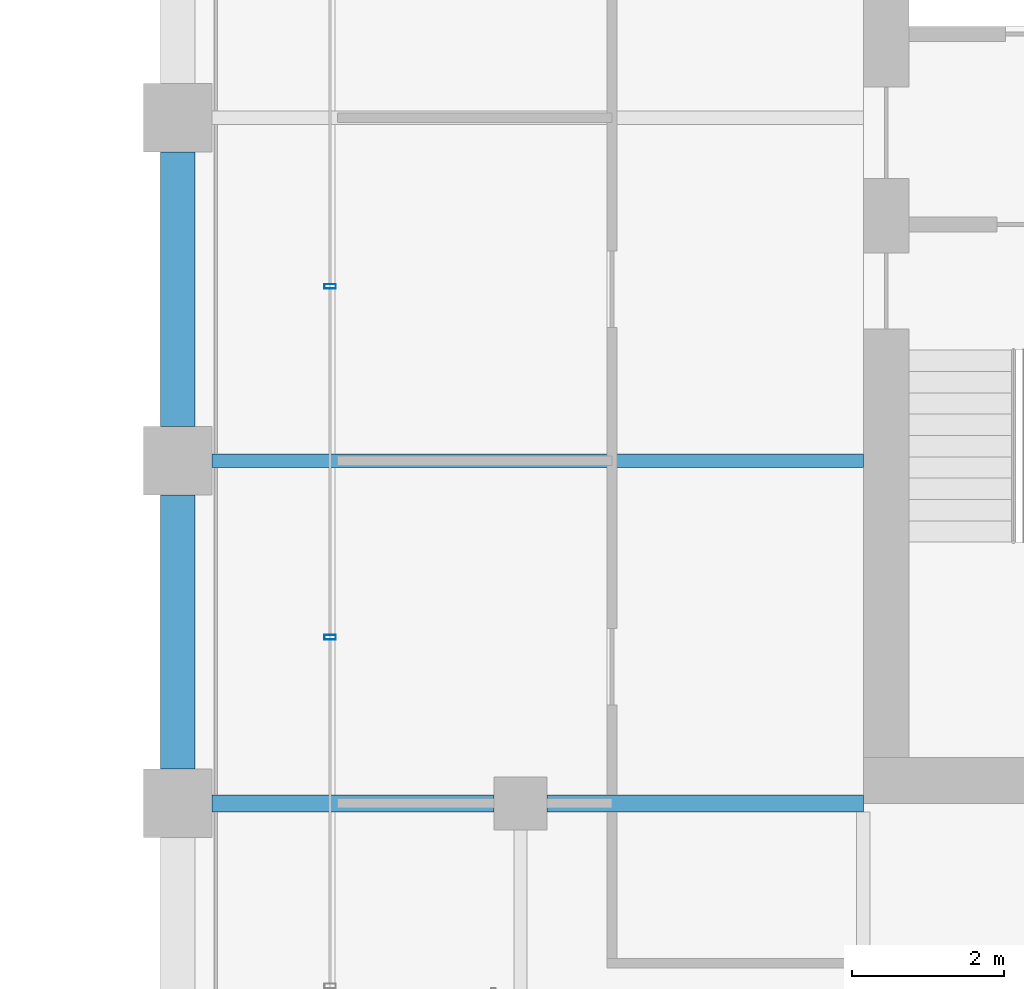
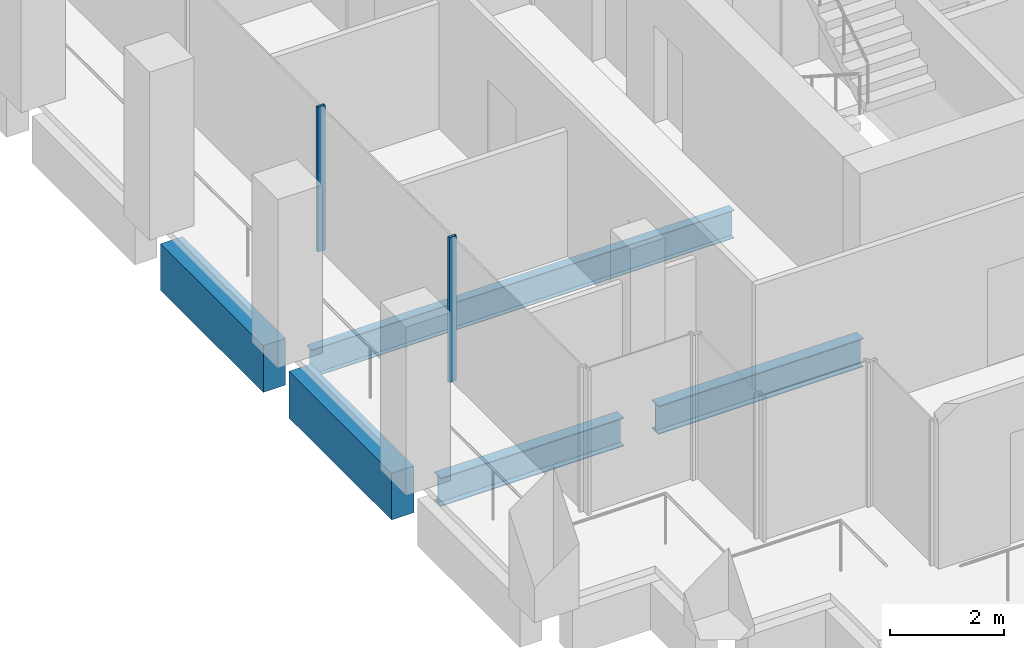
# One storey, part 30 of 40: 5 beams, 2 members, 1 element without a shape of its own.
"""IFC4 building model written with IfcOpenShell, lengths in metres."""

from ifc_helpers import new_model, si_unit, direction, frame, origin, origin_2d, place, context, subcontext, project, spatial, rectangle, hollow_rectangle, i_section, extrude, material, material_profile, profile_set, type_object, element, aggregate, save


model = new_model("IFC4")

# Units and contexts
model_context = context("Model", 3, precision=1e-05, world=origin(), true_north=direction((0.0, 1.0)))
body_context = subcontext(model_context, "Body", "Model", "MODEL_VIEW")
ifc_project = project(units=[si_unit("LENGTHUNIT", "METRE"), si_unit("AREAUNIT", "SQUARE_METRE"), si_unit("VOLUMEUNIT", "CUBIC_METRE"), si_unit("PLANEANGLEUNIT", "RADIAN"), si_unit("MASSUNIT", "GRAM", prefix="KILO")], contexts=[model_context])

# Site, building, storey
site_placement = place(None, origin())
site = spatial("IfcSite", under=ifc_project, at=site_placement, CompositionType="ELEMENT")
building_placement = place(site_placement, origin())
building = spatial("IfcBuilding", under=site, at=building_placement, Name="Altepetl Exchange Towers", CompositionType="ELEMENT")
storey_placement = place(building_placement, frame((0.0, 0.0, 187.0)))
storey = spatial("IfcBuildingStorey", under=building, at=storey_placement, Name="L47", CompositionType="ELEMENT", Elevation=187.0)

# Beams
ifc_material_1 = material(Name="Steel S355", Category="steel")
ifc_material_profile_1 = material_profile(ifc_material_1, i_section(OverallWidth=0.177978515625, OverallDepth=0.59912109375, WebThickness=0.010009765625, FlangeThickness=0.0126953125, at=origin_2d()), Name="W24X55")
ifc_profile_set_1 = profile_set([ifc_material_profile_1], Name="Steel S355")
beam_type_1 = type_object("IfcBeamType", Name="Floor beam W24X55", PredefinedType="BEAM", material=ifc_profile_set_1)
beam_1_placement = place(storey_placement, frame((94.949951171875, 40.5, -0.449462890625), z_axis=(1.0, 0.0, 0.0), x_axis=(0.0, 1.0, 0.0)))
element("IfcBeam", 1, at=beam_1_placement, inside=storey, type_object=beam_type_1, Name="bm:B:L47:004", PredefinedType="BEAM", context=body_context, shape_type="SweptSolid", body=[
    extrude(i_section(OverallWidth=0.177978515625, OverallDepth=0.59912109375, WebThickness=0.010009765625, FlangeThickness=0.0126953125, at=origin_2d()), origin(), (0.0, 0.0, 1.0), 8.550048828125),
])
ifc_material_profile_2 = material_profile(ifc_material_1, i_section(OverallWidth=0.22802734375, OverallDepth=0.60791015625, WebThickness=0.01123046875, FlangeThickness=0.017333984375, at=origin_2d()), Name="W24X76")
ifc_profile_set_2 = profile_set([ifc_material_profile_2], Name="Steel S355")
beam_type_2 = type_object("IfcBeamType", Name="Girder W24X76", PredefinedType="BEAM", material=ifc_profile_set_2)
beam_2_placement = place(storey_placement, frame((103.5, 36.0, -0.4541015625), z_axis=(-1.0, 0.0, 0.0), x_axis=(0.0, -1.0, 0.0)))
element("IfcBeam", 2, at=beam_2_placement, inside=storey, type_object=beam_type_2, Name="gd:B:L47:000", PredefinedType="BEAM", context=body_context, shape_type="SweptSolid", body=[
    extrude(i_section(OverallWidth=0.22802734375, OverallDepth=0.60791015625, WebThickness=0.01123046875, FlangeThickness=0.017333984375, at=origin_2d()), origin(), (0.0, 0.0, 1.0), 4.14990234375),
])
beam_3_placement = place(storey_placement, frame((98.64990234375, 36.0, -0.4541015625), z_axis=(-1.0, 0.0, 0.0), x_axis=(0.0, -1.0, 0.0)))
element("IfcBeam", 3, at=beam_3_placement, inside=storey, type_object=beam_type_2, Name="gd:B:L47:001", PredefinedType="BEAM", context=body_context, shape_type="SweptSolid", body=[
    extrude(i_section(OverallWidth=0.22802734375, OverallDepth=0.60791015625, WebThickness=0.01123046875, FlangeThickness=0.017333984375, at=origin_2d()), origin(), (0.0, 0.0, 1.0), 3.699951171875),
])

# Curtain wall, members
ifc_material_2 = material(Name="Aluminium 6063-T6 glazing", Category="aluminium")
curtain_wall_type = type_object("IfcCurtainWallType", Name="Loggia glazing system", PredefinedType="NOTDEFINED", material=ifc_material_2)
curtain_wall_placement = place(storey_placement, origin())
curtain_wall = element("IfcCurtainWall", 4, at=curtain_wall_placement, inside=storey, type_object=curtain_wall_type, Name="CW1 run", PredefinedType="NOTDEFINED")
ifc_material_3 = material(Name="Aluminium 6063-T6", Category="aluminium")
ifc_material_profile_3 = material_profile(ifc_material_3, hollow_rectangle(XDim=0.06005859375, YDim=0.14990234375, WallThickness=0.0029296875, at=origin_2d()), Name="Mullion 60x150 aluminium")
ifc_profile_set_3 = profile_set([ifc_material_profile_3], Name="Aluminium 6063-T6")
member_type = type_object("IfcMemberType", Name="Mullion 60x150 aluminium", PredefinedType="MULLION", material=ifc_profile_set_3)
member_1_placement = place(storey_placement, frame((96.5, 42.78759765625, 0.0), z_axis=(0.0, 0.0, 1.0), x_axis=(0.0, -1.0, 0.0)))
member_1 = element("IfcMember", 5, at=member_1_placement, type_object=member_type, Name="MU1 mullion", PredefinedType="MULLION", context=body_context, shape_type="SweptSolid", body=[
    extrude(hollow_rectangle(XDim=0.06005859375, YDim=0.14990234375, WallThickness=0.0029296875, at=origin_2d()), origin(), (0.0, 0.0, 1.0), 3.10009765625),
])
member_2_placement = place(storey_placement, frame((96.5, 38.18115234375, 0.0), z_axis=(0.0, 0.0, 1.0), x_axis=(0.0, -1.0, 0.0)))
member_2 = element("IfcMember", 6, at=member_2_placement, type_object=member_type, Name="MU1 mullion", PredefinedType="MULLION", context=body_context, shape_type="SweptSolid", body=[
    extrude(hollow_rectangle(XDim=0.06005859375, YDim=0.14990234375, WallThickness=0.0029296875, at=origin_2d()), origin(), (0.0, 0.0, 1.0), 3.10009765625),
])
aggregate(curtain_wall, [member_1, member_2])

# Beams
ifc_material_4 = material(Name="Concrete C50/60 precast with cantera rosa facing", Category="concrete")
ifc_material_profile_4 = material_profile(ifc_material_4, rectangle(XDim=0.449951171875, YDim=1.0, at=origin_2d()), Name="450 x 1000")
ifc_profile_set_4 = profile_set([ifc_material_profile_4], Name="Concrete C50/60 precast with cantera rosa facing")
beam_type_3 = type_object("IfcBeamType", Name="Spandrel beam 450x1000 cantera rosa", PredefinedType="SPANDREL", material=ifc_profile_set_4)
for number, where, z_axis, x_axis, name in (
    (7, (94.5, 44.550048828125, -0.64990234375), (0.0, -1.0, 0.0), (1.0, 0.0, 0.0), "sp:B:L47:017"),
    (8, (94.5, 40.050048828125, -0.64990234375), (0.0, -1.0, 0.0), (1.0, 0.0, 0.0), "sp:B:L47:018"),
):
    element("IfcBeam", number, at=place(storey_placement, frame(where, z_axis=z_axis, x_axis=x_axis)), inside=storey, type_object=beam_type_3, Name=name, PredefinedType="SPANDREL", context=body_context, shape_type="SweptSolid", body=[
        extrude(rectangle(XDim=0.449951171875, YDim=1.0, at=origin_2d()), origin(), (0.0, 0.0, 1.0), 3.60009765625),
    ])

save(model, "model.ifc")
